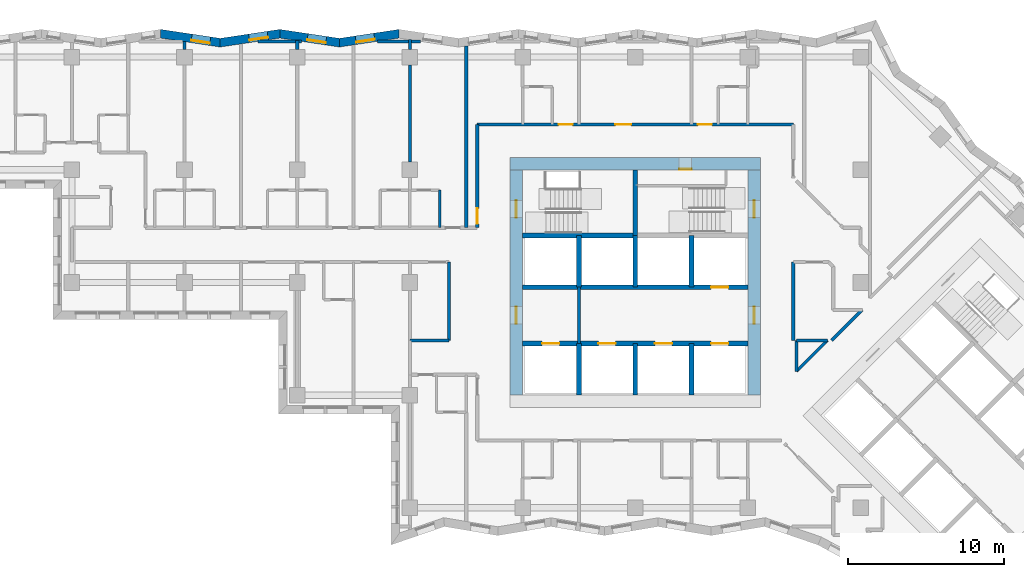
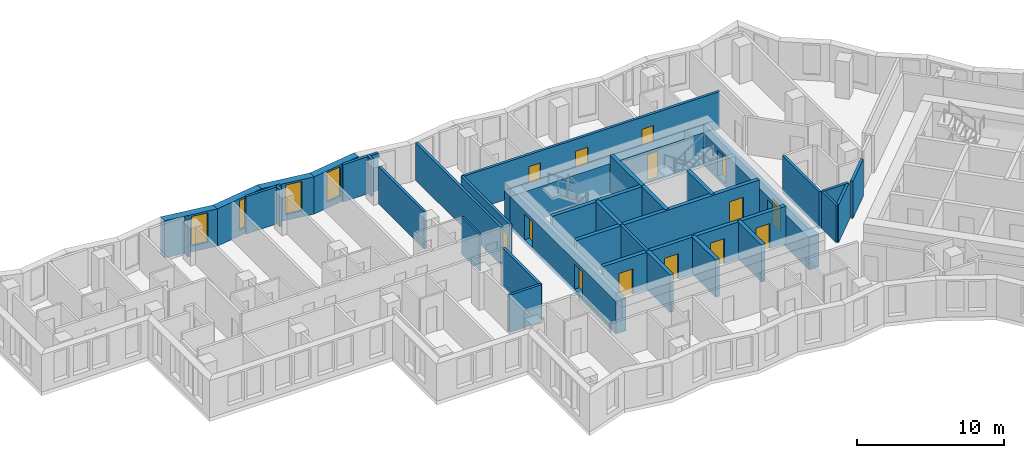
# One storey, part 6 of 13: 35 walls, 14 doors, 4 windows, 18 openings.
"""IFC4 building model written with IfcOpenShell, lengths in metres."""

from ifc_helpers import new_model, si_unit, direction, frame, frame_2d, origin, place, context, subcontext, project, spatial, polyline, rectangle, outline, extrude, material, layer, layer_set, type_object, element, fill, save


model = new_model("IFC4")

# Units and contexts
model_context = context("Model", 3, precision=1e-05, world=origin(), true_north=direction((0.0, 1.0)))
body_context = subcontext(model_context, "Body", "Model", "MODEL_VIEW")
ifc_project = project(units=[si_unit("LENGTHUNIT", "METRE"), si_unit("AREAUNIT", "SQUARE_METRE"), si_unit("VOLUMEUNIT", "CUBIC_METRE"), si_unit("PLANEANGLEUNIT", "RADIAN"), si_unit("MASSUNIT", "GRAM", prefix="KILO")], contexts=[model_context])

# Site, building, storey
site_placement = place(None, origin())
site = spatial("IfcSite", under=ifc_project, at=site_placement, CompositionType="ELEMENT")
building_placement = place(site_placement, origin())
building = spatial("IfcBuilding", under=site, at=building_placement, Name="Windrow Commons", CompositionType="ELEMENT")
storey_placement = place(building_placement, frame((0.0, 0.0, 111.8)))
storey = spatial("IfcBuildingStorey", under=building, at=storey_placement, Name="L30", CompositionType="ELEMENT", Elevation=111.8)

# Wall, opening, window
ifc_material_1 = material(Name="Brick masonry, red clay brick", Category="masonry")
ifc_layer_1 = layer(ifc_material_1, 0.55)
ifc_layer_set_1 = layer_set([ifc_layer_1], Name="Brick facade wall 550")
wall_type_1 = type_object("IfcWallType", Name="Brick facade wall 550", PredefinedType="SOLIDWALL", material=ifc_layer_set_1)
wall_1_placement = place(storey_placement, frame((49.7053, 73.4939, 0.0), z_axis=(0.0, 0.0, 1.0), x_axis=(-0.9889155896, -0.1484788086, 0.0)))
wall_1 = element("IfcWall", 1, at=wall_1_placement, inside=storey, type_object=wall_type_1, Name="Brick facade wall L30 29", PredefinedType="SOLIDWALL", context=body_context, shape_type="SweptSolid", body=[
    extrude(outline(polyline([(-0.0413, -0.275), (3.8111, -0.275), (3.8937, 0.275), (0.0413, 0.275), (-0.0413, -0.275)])), origin(), (0.0, 0.0, 1.0), 3.1),
])
opening_1_placement = place(wall_1_placement, frame((1.5896, 0.0, 0.5)))
opening_1 = element("IfcOpeningElement", 2, at=opening_1_placement, cuts=wall_1, Name="Opening W7D", PredefinedType="OPENING", context=body_context, shape_type="SweptSolid", body=[
    extrude(rectangle(XDim=1.2, YDim=2.45, at=frame_2d((0.6, 1.225))), frame((0.0, 0.285, 0.0), z_axis=(0.0, -1.0, 0.0), x_axis=(1.0, 0.0, 0.0)), (0.0, 0.0, 1.0), 0.57),
])
ifc_material_2 = material(Name="Clear float glass in anodised aluminium frame", Category="aluminium")
window_type = type_object("IfcWindowType", Name="Window W7 notch 1200x2450", PartitioningType="SINGLE_PANEL", PredefinedType="WINDOW", material=ifc_material_2)
window_1_placement = place(opening_1_placement, origin())
window_1 = element("IfcWindow", 3, at=window_1_placement, inside=storey, type_object=window_type, Name="Window L30 29.1", OverallHeight=2.45, OverallWidth=1.2, PartitioningType="SINGLE_PANEL", PredefinedType="WINDOW", context=body_context, shape_type="SweptSolid", body=[
    extrude(rectangle(XDim=1.2, YDim=2.45, at=frame_2d((0.6, 1.225))), frame((0.0, 0.155, 0.0), z_axis=(0.0, -1.0, 0.0), x_axis=(1.0, 0.0, 0.0)), (0.0, 0.0, 1.0), 0.06),
])
fill(opening_1, window_1)

wall_2_placement = place(storey_placement, frame((45.8956, 72.9219, 0.0), z_axis=(0.0, 0.0, 1.0), x_axis=(-0.9889150173, 0.1484826202, 0.0)))
wall_2 = element("IfcWall", 4, at=wall_2_placement, inside=storey, type_object=wall_type_1, Name="Brick facade wall L30 30", PredefinedType="SOLIDWALL", context=body_context, shape_type="SweptSolid", body=[
    extrude(outline(polyline([(0.0413, -0.275), (3.8937, -0.275), (3.8111, 0.275), (-0.0413, 0.275), (0.0413, -0.275)])), origin(), (0.0, 0.0, 1.0), 3.1),
])
opening_2_placement = place(wall_2_placement, frame((0.8629, 0.0, 0.5)))
opening_2 = element("IfcOpeningElement", 5, at=opening_2_placement, cuts=wall_2, Name="Opening W7D", PredefinedType="OPENING", context=body_context, shape_type="SweptSolid", body=[
    extrude(rectangle(XDim=1.2, YDim=2.45, at=frame_2d((0.6, 1.225))), frame((0.0, 0.285, 0.0), z_axis=(0.0, -1.0, 0.0), x_axis=(1.0, 0.0, 0.0)), (0.0, 0.0, 1.0), 0.57),
])
window_2_placement = place(opening_2_placement, origin())
window_2 = element("IfcWindow", 6, at=window_2_placement, inside=storey, type_object=window_type, Name="Window L30 30.1", OverallHeight=2.45, OverallWidth=1.2, PartitioningType="SINGLE_PANEL", PredefinedType="WINDOW", context=body_context, shape_type="SweptSolid", body=[
    extrude(rectangle(XDim=1.2, YDim=2.45, at=frame_2d((0.6, 1.225))), frame((0.0, 0.155, 0.0), z_axis=(0.0, -1.0, 0.0), x_axis=(1.0, 0.0, 0.0)), (0.0, 0.0, 1.0), 0.06),
])
fill(opening_2, window_2)

wall_3_placement = place(storey_placement, frame((42.086, 73.4939, 0.0), z_axis=(0.0, 0.0, 1.0), x_axis=(-0.9889155896, -0.1484788086, 0.0)))
wall_3 = element("IfcWall", 7, at=wall_3_placement, inside=storey, type_object=wall_type_1, Name="Brick facade wall L30 31", PredefinedType="SOLIDWALL", context=body_context, shape_type="SweptSolid", body=[
    extrude(outline(polyline([(-0.0413, -0.275), (3.8111, -0.275), (3.8937, 0.275), (0.0413, 0.275), (-0.0413, -0.275)])), origin(), (0.0, 0.0, 1.0), 3.1),
])
opening_3_placement = place(wall_3_placement, frame((0.7776, 0.0, 0.5)))
opening_3 = element("IfcOpeningElement", 8, at=opening_3_placement, cuts=wall_3, Name="Opening W7D", PredefinedType="OPENING", context=body_context, shape_type="SweptSolid", body=[
    extrude(rectangle(XDim=1.2, YDim=2.45, at=frame_2d((0.6, 1.225))), frame((0.0, 0.285, 0.0), z_axis=(0.0, -1.0, 0.0), x_axis=(1.0, 0.0, 0.0)), (0.0, 0.0, 1.0), 0.57),
])
window_3_placement = place(opening_3_placement, origin())
window_3 = element("IfcWindow", 9, at=window_3_placement, inside=storey, type_object=window_type, Name="Window L30 31.1", OverallHeight=2.45, OverallWidth=1.2, PartitioningType="SINGLE_PANEL", PredefinedType="WINDOW", context=body_context, shape_type="SweptSolid", body=[
    extrude(rectangle(XDim=1.2, YDim=2.45, at=frame_2d((0.6, 1.225))), frame((0.0, 0.145, 0.0), z_axis=(0.0, -1.0, 0.0), x_axis=(1.0, 0.0, 0.0)), (0.0, 0.0, 1.0), 0.06),
])
fill(opening_3, window_3)

wall_4_placement = place(storey_placement, frame((38.2763, 72.9219, 0.0), z_axis=(0.0, 0.0, 1.0), x_axis=(-0.9889155896, 0.1484788086, 0.0)))
wall_4 = element("IfcWall", 10, at=wall_4_placement, inside=storey, type_object=wall_type_1, Name="Brick facade wall L30 32", PredefinedType="SOLIDWALL", context=body_context, shape_type="SweptSolid", body=[
    extrude(outline(polyline([(0.0413, -0.275), (3.8937, -0.275), (3.8111, 0.275), (-0.0413, 0.275), (0.0413, -0.275)])), origin(), (0.0, 0.0, 1.0), 3.1),
])
opening_4_placement = place(wall_4_placement, frame((0.6509, 0.0, 0.5)))
opening_4 = element("IfcOpeningElement", 11, at=opening_4_placement, cuts=wall_4, Name="Opening W7D", PredefinedType="OPENING", context=body_context, shape_type="SweptSolid", body=[
    extrude(rectangle(XDim=1.2, YDim=2.45, at=frame_2d((0.6, 1.225))), frame((0.0, 0.285, 0.0), z_axis=(0.0, -1.0, 0.0), x_axis=(1.0, 0.0, 0.0)), (0.0, 0.0, 1.0), 0.57),
])
window_4_placement = place(opening_4_placement, origin())
window_4 = element("IfcWindow", 12, at=window_4_placement, inside=storey, type_object=window_type, Name="Window L30 32.1", OverallHeight=2.45, OverallWidth=1.2, PartitioningType="SINGLE_PANEL", PredefinedType="WINDOW", context=body_context, shape_type="SweptSolid", body=[
    extrude(rectangle(XDim=1.2, YDim=2.45, at=frame_2d((0.6, 1.225))), frame((0.0, 0.155, 0.0), z_axis=(0.0, -1.0, 0.0), x_axis=(1.0, 0.0, 0.0)), (0.0, 0.0, 1.0), 0.06),
])
fill(opening_4, window_4)

# Wall
ifc_material_3 = material(Name="Blockwork partition", Category="masonry")
ifc_layer_2 = layer(ifc_material_3, 0.2)
ifc_layer_set_2 = layer_set([ifc_layer_2], Name="Fire lobby partition 200")
wall_type_2 = type_object("IfcWallType", Name="Fire lobby partition 200", PredefinedType="PARTITIONING", material=ifc_layer_set_2)
wall_5_placement = place(storey_placement, frame((61.2, 53.7, 0.0), z_axis=(0.0, 0.0, 1.0), x_axis=(0.0, 1.0, 0.0)))
element("IfcWall", 13, at=wall_5_placement, inside=storey, type_object=wall_type_2, Name="W-core-lobby-A-L30", PredefinedType="PARTITIONING", context=body_context, shape_type="SweptSolid", body=[
    extrude(rectangle(XDim=3.6, YDim=0.2, at=frame_2d((1.8, 0.0))), origin(), (0.0, 0.0, 1.0), 3.1),
])

# Wall, openings, doors
ifc_material_4 = material(Name="Blockwork partition", Category="masonry")
ifc_layer_3 = layer(ifc_material_4, 0.2)
ifc_layer_set_3 = layer_set([ifc_layer_3], Name="IW-CORRIDOR-200")
wall_type_3 = type_object("IfcWallType", Name="IW-CORRIDOR-200", PredefinedType="PARTITIONING", material=ifc_layer_set_3)
wall_6_placement = place(storey_placement, frame((54.7, 67.7, 0.0), z_axis=(0.0, 0.0, 1.0), x_axis=(1.0, 0.0, 0.0)))
wall_6 = element("IfcWall", 14, at=wall_6_placement, inside=storey, type_object=wall_type_3, Name="W-L30-W002", PredefinedType="PARTITIONING", context=body_context, shape_type="SweptSolid", body=[
    extrude(rectangle(XDim=20.2, YDim=0.2, at=frame_2d((10.1, 0.0))), origin(), (0.0, 0.0, 1.0), 3.1),
])
opening_5_placement = place(wall_6_placement, frame((5.2, 0.0, 0.0)))
opening_5 = element("IfcOpeningElement", 15, at=opening_5_placement, cuts=wall_6, Name="Opening D109S", PredefinedType="OPENING", context=body_context, shape_type="SweptSolid", body=[
    extrude(rectangle(XDim=0.9, YDim=2.1, at=frame_2d((0.45, 1.05))), frame((0.0, 0.11, 0.0), z_axis=(0.0, -1.0, 0.0), x_axis=(1.0, 0.0, 0.0)), (0.0, 0.0, 1.0), 0.22),
])
opening_6_placement = place(wall_6_placement, frame((8.8375, 0.0, 0.0)))
opening_6 = element("IfcOpeningElement", 16, at=opening_6_placement, cuts=wall_6, Name="Opening D310F", PredefinedType="OPENING", context=body_context, shape_type="SweptSolid", body=[
    extrude(rectangle(XDim=1.0, YDim=2.1, at=frame_2d((0.5, 1.05))), frame((0.0, 0.11, 0.0), z_axis=(0.0, -1.0, 0.0), x_axis=(1.0, 0.0, 0.0)), (0.0, 0.0, 1.0), 0.22),
])
opening_7_placement = place(wall_6_placement, frame((14.1, 0.0, 0.0)))
opening_7 = element("IfcOpeningElement", 17, at=opening_7_placement, cuts=wall_6, Name="Opening D109S", PredefinedType="OPENING", context=body_context, shape_type="SweptSolid", body=[
    extrude(rectangle(XDim=0.9, YDim=2.1, at=frame_2d((0.45, 1.05))), frame((0.0, 0.11, 0.0), z_axis=(0.0, -1.0, 0.0), x_axis=(1.0, 0.0, 0.0)), (0.0, 0.0, 1.0), 0.22),
])
ifc_material_5 = material(Name="Timber door leaf", Category="wood")
door_type_1 = type_object("IfcDoorType", Name="DT-AMENITY-1000", OperationType="SINGLE_SWING_LEFT", PredefinedType="DOOR", material=ifc_material_5)
door_1_placement = place(opening_6_placement, origin())
door_1 = element("IfcDoor", 18, at=door_1_placement, inside=storey, type_object=door_type_1, Name="D-L30-D040", OperationType="SINGLE_SWING_LEFT", OverallHeight=2.1, OverallWidth=1.0, PredefinedType="DOOR", context=body_context, shape_type="SweptSolid", body=[
    extrude(rectangle(XDim=1.0, YDim=2.1, at=frame_2d((0.5, 1.05))), frame((0.0, 0.025, 0.0), z_axis=(0.0, -1.0, 0.0), x_axis=(1.0, 0.0, 0.0)), (0.0, 0.0, 1.0), 0.05),
])
fill(opening_6, door_1)
ifc_material_6 = material(Name="Timber door leaf", Category="wood")
door_type_2 = type_object("IfcDoorType", Name="DT-BEDROOM-900", OperationType="SINGLE_SWING_LEFT", PredefinedType="DOOR", material=ifc_material_6)
door_2_placement = place(opening_5_placement, origin())
door_2 = element("IfcDoor", 19, at=door_2_placement, inside=storey, type_object=door_type_2, Name="D-L30-D038", OperationType="SINGLE_SWING_RIGHT", OverallHeight=2.1, OverallWidth=0.9, PredefinedType="DOOR", context=body_context, shape_type="SweptSolid", body=[
    extrude(rectangle(XDim=0.9, YDim=2.1, at=frame_2d((0.45, 1.05))), frame((0.0, 0.025, 0.0), z_axis=(0.0, -1.0, 0.0), x_axis=(1.0, 0.0, 0.0)), (0.0, 0.0, 1.0), 0.05),
])
fill(opening_5, door_2)
door_3_placement = place(opening_7_placement, origin())
door_3 = element("IfcDoor", 20, at=door_3_placement, inside=storey, type_object=door_type_2, Name="D-L30-D041", OperationType="SINGLE_SWING_LEFT", OverallHeight=2.1, OverallWidth=0.9, PredefinedType="DOOR", context=body_context, shape_type="SweptSolid", body=[
    extrude(rectangle(XDim=0.9, YDim=2.1, at=frame_2d((0.45, 1.05))), frame((0.0, 0.025, 0.0), z_axis=(0.0, -1.0, 0.0), x_axis=(1.0, 0.0, 0.0)), (0.0, 0.0, 1.0), 0.05),
])
fill(opening_7, door_3)

# Wall, opening, door
wall_7_placement = place(storey_placement, frame((54.7, 61.102, 0.0), z_axis=(0.0, 0.0, 1.0), x_axis=(0.0, 1.0, 0.0)))
wall_7 = element("IfcWall", 21, at=wall_7_placement, inside=storey, type_object=wall_type_3, Name="W-L30-W025", PredefinedType="PARTITIONING", context=body_context, shape_type="SweptSolid", body=[
    extrude(rectangle(XDim=6.598, YDim=0.2, at=frame_2d((3.299, 0.0))), origin(), (0.0, 0.0, 1.0), 3.1),
])
opening_8_placement = place(wall_7_placement, frame((0.24, 0.0, 0.0)))
opening_8 = element("IfcOpeningElement", 22, at=opening_8_placement, cuts=wall_7, Name="Opening D310F", PredefinedType="OPENING", context=body_context, shape_type="SweptSolid", body=[
    extrude(rectangle(XDim=1.0, YDim=2.1, at=frame_2d((0.5, 1.05))), frame((0.0, 0.11, 0.0), z_axis=(0.0, -1.0, 0.0), x_axis=(1.0, 0.0, 0.0)), (0.0, 0.0, 1.0), 0.22),
])
door_4_placement = place(opening_8_placement, origin())
door_4 = element("IfcDoor", 23, at=door_4_placement, inside=storey, type_object=door_type_1, Name="D-L30-D037", OperationType="SINGLE_SWING_LEFT", OverallHeight=2.1, OverallWidth=1.0, PredefinedType="DOOR", context=body_context, shape_type="SweptSolid", body=[
    extrude(rectangle(XDim=1.0, YDim=2.1, at=frame_2d((0.5, 1.05))), frame((0.0, 0.025, 0.0), z_axis=(0.0, -1.0, 0.0), x_axis=(1.0, 0.0, 0.0)), (0.0, 0.0, 1.0), 0.05),
])
fill(opening_8, door_4)

# Walls
for number, where, z_axis, x_axis, name in (
    (24, (52.9, 53.9, 0.0), (0.0, 0.0, 1.0), (0.0, 1.0, 0.0), "W-L30-W040"),
    (25, (74.9, 53.9, 0.0), (0.0, 0.0, 1.0), (0.0, 1.0, 0.0), "W-L30-W041"),
):
    element("IfcWall", number, at=place(storey_placement, frame(where, z_axis=z_axis, x_axis=x_axis)), inside=storey, type_object=wall_type_3, Name=name, PredefinedType="PARTITIONING", context=body_context, shape_type="SweptSolid", body=[
        extrude(rectangle(XDim=5.0, YDim=0.2, at=frame_2d((2.5, 0.0))), origin(), (0.0, 0.0, 1.0), 3.1),
    ])
wall_8_placement = place(storey_placement, frame((75.1015, 51.9225, 0.0), z_axis=(0.0, 0.0, 1.0), x_axis=(0.7071067812, 0.7071067812, 0.0)))
element("IfcWall", 26, at=wall_8_placement, inside=storey, type_object=wall_type_3, Name="W-L30-W067", PredefinedType="PARTITIONING", context=body_context, shape_type="SweptSolid", body=[
    extrude(rectangle(XDim=2.7973, YDim=0.2, at=frame_2d((1.3986, 0.0))), origin(), (0.0, 0.0, 1.0), 3.1),
])
wall_9_placement = place(storey_placement, frame((77.3629, 53.9011, 0.0), z_axis=(0.0, 0.0, 1.0), x_axis=(0.7071067812, 0.7071067812, 0.0)))
element("IfcWall", 27, at=wall_9_placement, inside=storey, type_object=wall_type_3, Name="W-L30-W077", PredefinedType="PARTITIONING", context=body_context, shape_type="SweptSolid", body=[
    extrude(rectangle(XDim=2.7549, YDim=0.2, at=frame_2d((1.3775, 0.0))), origin(), (0.0, 0.0, 1.0), 3.1),
])
wall_10_placement = place(storey_placement, frame((50.4, 53.9, 0.0), z_axis=(0.0, 0.0, 1.0), x_axis=(1.0, 0.0, 0.0)))
element("IfcWall", 28, at=wall_10_placement, inside=storey, type_object=wall_type_3, Name="W-L30-W081", PredefinedType="PARTITIONING", context=body_context, shape_type="SweptSolid", body=[
    extrude(rectangle(XDim=2.5, YDim=0.2, at=frame_2d((1.25, 0.0))), origin(), (0.0, 0.0, 1.0), 3.1),
])
wall_11_placement = place(storey_placement, frame((75.1, 51.922, 0.0), z_axis=(0.0, 0.0, 1.0), x_axis=(0.0, 1.0, 0.0)))
element("IfcWall", 29, at=wall_11_placement, inside=storey, type_object=wall_type_3, Name="W-L30-W136", PredefinedType="PARTITIONING", context=body_context, shape_type="SweptSolid", body=[
    extrude(rectangle(XDim=1.978, YDim=0.2, at=frame_2d((0.989, 0.0))), origin(), (0.0, 0.0, 1.0), 3.1),
])
ifc_material_7 = material(Name="Blockwork partition", Category="masonry")
ifc_layer_4 = layer(ifc_material_7, 0.15)
ifc_layer_set_4 = layer_set([ifc_layer_4], Name="IW-ENSUITE-150")
wall_type_4 = type_object("IfcWallType", Name="IW-ENSUITE-150", PredefinedType="PARTITIONING", material=ifc_layer_set_4)
wall_12_placement = place(storey_placement, frame((52.3, 61.1, 0.0), z_axis=(0.0, 0.0, 1.0), x_axis=(0.0, 1.0, 0.0)))
element("IfcWall", 30, at=wall_12_placement, inside=storey, type_object=wall_type_4, Name="W-L30-W098", PredefinedType="PARTITIONING", context=body_context, shape_type="SweptSolid", body=[
    extrude(rectangle(XDim=2.4, YDim=0.15, at=frame_2d((1.2, 0.0))), origin(), (0.0, 0.0, 1.0), 3.1),
])
ifc_material_8 = material(Name="Blockwork partition", Category="masonry")
ifc_layer_5 = layer(ifc_material_8, 0.2)
ifc_layer_set_5 = layer_set([ifc_layer_5], Name="IW-PARTY-200")
wall_type_5 = type_object("IfcWallType", Name="IW-PARTY-200", PredefinedType="PARTITIONING", material=ifc_layer_set_5)
wall_13_placement = place(storey_placement, frame((54.0, 61.1, 0.0), z_axis=(0.0, 0.0, 1.0), x_axis=(0.0, 1.0, 0.0)))
element("IfcWall", 31, at=wall_13_placement, inside=storey, type_object=wall_type_5, Name="W-L30-W008", PredefinedType="PARTITIONING", context=body_context, shape_type="SweptSolid", body=[
    extrude(rectangle(XDim=11.6167, YDim=0.2, at=frame_2d((5.8083, 0.0))), origin(), (0.0, 0.0, 1.0), 3.1),
])
wall_14_placement = place(storey_placement, frame((50.4, 65.3, 0.0), z_axis=(0.0, 0.0, 1.0), x_axis=(0.0, 1.0, 0.0)))
element("IfcWall", 32, at=wall_14_placement, inside=storey, type_object=wall_type_5, Name="W-L30-W030", PredefinedType="PARTITIONING", context=body_context, shape_type="SweptSolid", body=[
    extrude(rectangle(XDim=6.2, YDim=0.2, at=frame_2d((3.1, 0.0))), origin(), (0.0, 0.0, 1.0), 3.1),
])
wall_15_placement = place(storey_placement, frame((40.6984, 73.0, 0.0), z_axis=(0.0, 0.0, 1.0), x_axis=(1.0, 0.0, 0.0)))
element("IfcWall", 33, at=wall_15_placement, inside=storey, type_object=wall_type_5, Name="W-L30-W069", PredefinedType="PARTITIONING", context=body_context, shape_type="SweptSolid", body=[
    extrude(rectangle(XDim=2.7751, YDim=0.2, at=frame_2d((1.3876, 0.0))), origin(), (0.0, 0.0, 1.0), 3.1),
])
wall_16_placement = place(storey_placement, frame((48.3178, 73.0, 0.0), z_axis=(0.0, 0.0, 1.0), x_axis=(1.0, 0.0, 0.0)))
element("IfcWall", 34, at=wall_16_placement, inside=storey, type_object=wall_type_5, Name="W-L30-W072", PredefinedType="PARTITIONING", context=body_context, shape_type="SweptSolid", body=[
    extrude(rectangle(XDim=2.775, YDim=0.2, at=frame_2d((1.3875, 0.0))), origin(), (0.0, 0.0, 1.0), 3.1),
])
wall_17_placement = place(storey_placement, frame((75.1, 53.9, 0.0), z_axis=(0.0, 0.0, 1.0), x_axis=(1.0, 0.0, 0.0)))
element("IfcWall", 35, at=wall_17_placement, inside=storey, type_object=wall_type_5, Name="W-L30-W135", PredefinedType="PARTITIONING", context=body_context, shape_type="SweptSolid", body=[
    extrude(rectangle(XDim=1.98, YDim=0.2, at=frame_2d((0.99, 0.0))), origin(), (0.0, 0.0, 1.0), 3.1),
])
wall_18_placement = place(storey_placement, frame((50.4, 72.5, 0.0), z_axis=(0.0, 0.0, 1.0), x_axis=(0.0, 1.0, 0.0)))
element("IfcWall", 36, at=wall_18_placement, inside=storey, type_object=wall_type_5, Name="W-L30-W197", PredefinedType="PARTITIONING", context=body_context, shape_type="SweptSolid", body=[
    extrude(rectangle(XDim=0.6115, YDim=0.2, at=frame_2d((0.3058, 0.0))), origin(), (0.0, 0.0, 1.0), 3.1),
])
wall_19_placement = place(storey_placement, frame((43.2, 72.5, 0.0), z_axis=(0.0, 0.0, 1.0), x_axis=(0.0, 1.0, 0.0)))
element("IfcWall", 37, at=wall_19_placement, inside=storey, type_object=wall_type_5, Name="W-L30-W201", PredefinedType="PARTITIONING", context=body_context, shape_type="SweptSolid", body=[
    extrude(rectangle(XDim=0.5486, YDim=0.2, at=frame_2d((0.2743, 0.0))), origin(), (0.0, 0.0, 1.0), 3.1),
])
wall_20_placement = place(storey_placement, frame((36.0, 72.5, 0.0), z_axis=(0.0, 0.0, 1.0), x_axis=(0.0, 1.0, 0.0)))
element("IfcWall", 38, at=wall_20_placement, inside=storey, type_object=wall_type_5, Name="W-L30-W210", PredefinedType="PARTITIONING", context=body_context, shape_type="SweptSolid", body=[
    extrude(rectangle(XDim=0.4856, YDim=0.2, at=frame_2d((0.2428, 0.0))), origin(), (0.0, 0.0, 1.0), 3.1),
])

# Wall, opening, door
ifc_material_9 = material(Name="Concrete C50/60", Category="concrete")
ifc_layer_6 = layer(ifc_material_9, 0.8)
ifc_layer_set_6 = layer_set([ifc_layer_6], Name="RC CORE WALL 800 C50/60")
wall_type_6 = type_object("IfcWallType", Name="RC CORE WALL 800 C50/60", PredefinedType="SHEAR", material=ifc_layer_set_6)
wall_21_placement = place(storey_placement, frame((56.8, 65.2, -0.3), z_axis=(0.0, 0.0, 1.0), x_axis=(1.0, 0.0, 0.0)))
wall_21 = element("IfcWall", 39, at=wall_21_placement, inside=storey, type_object=wall_type_6, Name="Core A wall outer-N", PredefinedType="SHEAR", context=body_context, shape_type="SweptSolid", body=[
    extrude(rectangle(XDim=16.0, YDim=0.8, at=frame_2d((8.0, 0.0))), origin(), (0.0, 0.0, 1.0), 2.7),
])
opening_9_placement = place(wall_21_placement, frame((10.8, 0.0, 0.3)))
opening_9 = element("IfcOpeningElement", 40, at=opening_9_placement, cuts=wall_21, Name="Opening D9", PredefinedType="OPENING", context=body_context, shape_type="SweptSolid", body=[
    extrude(rectangle(XDim=0.8, YDim=2.1, at=frame_2d((0.4, 1.05))), frame((0.0, 0.41, 0.0), z_axis=(0.0, -1.0, 0.0), x_axis=(1.0, 0.0, 0.0)), (0.0, 0.0, 1.0), 0.82),
])
ifc_material_10 = material(Name="Steel fire door leaf", Category="steel")
door_type_3 = type_object("IfcDoorType", Name="Riser access door 800", OperationType="SINGLE_SWING_LEFT", PredefinedType="DOOR", material=ifc_material_10)
door_5_placement = place(opening_9_placement, origin())
door_5 = element("IfcDoor", 41, at=door_5_placement, inside=storey, type_object=door_type_3, Name="Riser access door", OperationType="SINGLE_SWING_RIGHT", OverallHeight=2.1, OverallWidth=0.8, PredefinedType="DOOR", context=body_context, shape_type="SweptSolid", body=[
    extrude(rectangle(XDim=0.8, YDim=2.1, at=frame_2d((0.4, 1.05))), frame((0.0, -0.34, 0.0), z_axis=(0.0, -1.0, 0.0), x_axis=(1.0, 0.0, 0.0)), (0.0, 0.0, 1.0), 0.05),
])
fill(opening_9, door_5)

# Wall, openings, doors
wall_22_placement = place(storey_placement, frame((57.2, 50.4, -0.3), z_axis=(0.0, 0.0, 1.0), x_axis=(0.0, 1.0, 0.0)))
wall_22 = element("IfcWall", 42, at=wall_22_placement, inside=storey, type_object=wall_type_6, Name="Core A wall outer-W", PredefinedType="SHEAR", context=body_context, shape_type="SweptSolid", body=[
    extrude(rectangle(XDim=14.4, YDim=0.8, at=frame_2d((7.2, 0.0))), origin(), (0.0, 0.0, 1.0), 2.7),
])
opening_10_placement = place(wall_22_placement, frame((4.55, 0.0, 0.3)))
opening_10 = element("IfcOpeningElement", 43, at=opening_10_placement, cuts=wall_22, Name="Opening D6", PredefinedType="OPENING", context=body_context, shape_type="SweptSolid", body=[
    extrude(rectangle(XDim=1.1, YDim=2.1, at=frame_2d((0.55, 1.05))), frame((0.0, 0.41, 0.0), z_axis=(0.0, -1.0, 0.0), x_axis=(1.0, 0.0, 0.0)), (0.0, 0.0, 1.0), 0.82),
])
opening_11_placement = place(wall_22_placement, frame((11.35, 0.0, 0.3)))
opening_11 = element("IfcOpeningElement", 44, at=opening_11_placement, cuts=wall_22, Name="Opening D7", PredefinedType="OPENING", context=body_context, shape_type="SweptSolid", body=[
    extrude(rectangle(XDim=1.1, YDim=2.1, at=frame_2d((0.55, 1.05))), frame((0.0, 0.41, 0.0), z_axis=(0.0, -1.0, 0.0), x_axis=(1.0, 0.0, 0.0)), (0.0, 0.0, 1.0), 0.82),
])
ifc_material_11 = material(Name="Steel fire door leaf", Category="steel")
door_type_4 = type_object("IfcDoorType", Name="Core lobby door 1100", OperationType="SINGLE_SWING_LEFT", PredefinedType="DOOR", material=ifc_material_11)
door_6_placement = place(opening_10_placement, origin())
door_6 = element("IfcDoor", 45, at=door_6_placement, inside=storey, type_object=door_type_4, Name="Lift lobby door", OperationType="DOUBLE_DOOR_SINGLE_SWING", OverallHeight=2.1, OverallWidth=1.1, PredefinedType="DOOR", context=body_context, shape_type="SweptSolid", body=[
    extrude(rectangle(XDim=1.1, YDim=2.1, at=frame_2d((0.55, 1.05))), frame((0.0, 0.025, 0.0), z_axis=(0.0, -1.0, 0.0), x_axis=(1.0, 0.0, 0.0)), (0.0, 0.0, 1.0), 0.05),
])
fill(opening_10, door_6)
ifc_material_12 = material(Name="Steel fire door leaf", Category="steel")
door_type_5 = type_object("IfcDoorType", Name="Stair door 1100", OperationType="SINGLE_SWING_LEFT", PredefinedType="DOOR", material=ifc_material_12)
door_7_placement = place(opening_11_placement, origin())
door_7 = element("IfcDoor", 46, at=door_7_placement, inside=storey, type_object=door_type_5, Name="Stair door", OperationType="SINGLE_SWING_LEFT", OverallHeight=2.1, OverallWidth=1.1, PredefinedType="DOOR", context=body_context, shape_type="SweptSolid", body=[
    extrude(rectangle(XDim=1.1, YDim=2.1, at=frame_2d((0.55, 1.05))), frame((0.0, 0.025, 0.0), z_axis=(0.0, -1.0, 0.0), x_axis=(1.0, 0.0, 0.0)), (0.0, 0.0, 1.0), 0.05),
])
fill(opening_11, door_7)

wall_23_placement = place(storey_placement, frame((72.4, 50.4, -0.3), z_axis=(0.0, 0.0, 1.0), x_axis=(0.0, 1.0, 0.0)))
wall_23 = element("IfcWall", 47, at=wall_23_placement, inside=storey, type_object=wall_type_6, Name="Core A wall outer-E", PredefinedType="SHEAR", context=body_context, shape_type="SweptSolid", body=[
    extrude(rectangle(XDim=14.4, YDim=0.8, at=frame_2d((7.2, 0.0))), origin(), (0.0, 0.0, 1.0), 2.7),
])
opening_12_placement = place(wall_23_placement, frame((4.55, 0.0, 0.3)))
opening_12 = element("IfcOpeningElement", 48, at=opening_12_placement, cuts=wall_23, Name="Opening D6", PredefinedType="OPENING", context=body_context, shape_type="SweptSolid", body=[
    extrude(rectangle(XDim=1.1, YDim=2.1, at=frame_2d((0.55, 1.05))), frame((0.0, 0.41, 0.0), z_axis=(0.0, -1.0, 0.0), x_axis=(1.0, 0.0, 0.0)), (0.0, 0.0, 1.0), 0.82),
])
opening_13_placement = place(wall_23_placement, frame((11.35, 0.0, 0.3)))
opening_13 = element("IfcOpeningElement", 49, at=opening_13_placement, cuts=wall_23, Name="Opening D7", PredefinedType="OPENING", context=body_context, shape_type="SweptSolid", body=[
    extrude(rectangle(XDim=1.1, YDim=2.1, at=frame_2d((0.55, 1.05))), frame((0.0, 0.41, 0.0), z_axis=(0.0, -1.0, 0.0), x_axis=(1.0, 0.0, 0.0)), (0.0, 0.0, 1.0), 0.82),
])
door_8_placement = place(opening_12_placement, origin())
door_8 = element("IfcDoor", 50, at=door_8_placement, inside=storey, type_object=door_type_4, Name="Lift lobby door", OperationType="DOUBLE_DOOR_SINGLE_SWING", OverallHeight=2.1, OverallWidth=1.1, PredefinedType="DOOR", context=body_context, shape_type="SweptSolid", body=[
    extrude(rectangle(XDim=1.1, YDim=2.1, at=frame_2d((0.55, 1.05))), frame((0.0, 0.025, 0.0), z_axis=(0.0, -1.0, 0.0), x_axis=(1.0, 0.0, 0.0)), (0.0, 0.0, 1.0), 0.05),
])
fill(opening_12, door_8)
door_9_placement = place(opening_13_placement, origin())
door_9 = element("IfcDoor", 51, at=door_9_placement, inside=storey, type_object=door_type_5, Name="Stair door", OperationType="SINGLE_SWING_RIGHT", OverallHeight=2.1, OverallWidth=1.1, PredefinedType="DOOR", context=body_context, shape_type="SweptSolid", body=[
    extrude(rectangle(XDim=1.1, YDim=2.1, at=frame_2d((0.55, 1.05))), frame((0.0, 0.025, 0.0), z_axis=(0.0, -1.0, 0.0), x_axis=(1.0, 0.0, 0.0)), (0.0, 0.0, 1.0), 0.05),
])
fill(opening_13, door_9)

# Walls
ifc_material_13 = material(Name="Concrete C50/60", Category="concrete")
ifc_layer_7 = layer(ifc_material_13, 0.3)
ifc_layer_set_7 = layer_set([ifc_layer_7], Name="RC SHAFT WALL 300 C50/60")
wall_type_7 = type_object("IfcWallType", Name="RC SHAFT WALL 300 C50/60", PredefinedType="SOLIDWALL", material=ifc_layer_set_7)
for number, where, z_axis, x_axis, name in (
    (52, (61.2, 50.4, 0.0), (0.0, 0.0, 1.0), (0.0, 1.0, 0.0), "Core A wall shaft-S1"),
    (53, (61.2, 57.3, 0.0), (0.0, 0.0, 1.0), (0.0, 1.0, 0.0), "Core A wall shaft-N1"),
    (54, (64.8, 50.4, 0.0), (0.0, 0.0, 1.0), (0.0, 1.0, 0.0), "Core A wall shaft-S2"),
    (55, (64.8, 57.3, 0.0), (0.0, 0.0, 1.0), (0.0, 1.0, 0.0), "Core A wall shaft-N2"),
    (56, (68.4, 50.4, 0.0), (0.0, 0.0, 1.0), (0.0, 1.0, 0.0), "Core A wall shaft-S3"),
    (57, (68.4, 57.3, 0.0), (0.0, 0.0, 1.0), (0.0, 1.0, 0.0), "Core A wall shaft-N3"),
):
    element("IfcWall", number, at=place(storey_placement, frame(where, z_axis=z_axis, x_axis=x_axis)), inside=storey, type_object=wall_type_7, Name=name, PredefinedType="SOLIDWALL", context=body_context, shape_type="SweptSolid", body=[
        extrude(rectangle(XDim=3.3, YDim=0.3, at=frame_2d((1.65, 0.0))), origin(), (0.0, 0.0, 1.0), 3.1),
    ])

# Wall, openings, doors
wall_24_placement = place(storey_placement, frame((57.6, 53.7, 0.0), z_axis=(0.0, 0.0, 1.0), x_axis=(1.0, 0.0, 0.0)))
wall_24 = element("IfcWall", 58, at=wall_24_placement, inside=storey, type_object=wall_type_7, Name="Core A wall lobby-S", PredefinedType="SOLIDWALL", context=body_context, shape_type="SweptSolid", body=[
    extrude(rectangle(XDim=14.4, YDim=0.3, at=frame_2d((7.2, 0.0))), origin(), (0.0, 0.0, 1.0), 3.1),
])
opening_14_placement = place(wall_24_placement, frame((1.25, 0.0, 0.0)))
opening_14 = element("IfcOpeningElement", 59, at=opening_14_placement, cuts=wall_24, Name="Opening LD", PredefinedType="OPENING", context=body_context, shape_type="SweptSolid", body=[
    extrude(rectangle(XDim=1.1, YDim=2.1, at=frame_2d((0.55, 1.05))), frame((0.0, 0.16, 0.0), z_axis=(0.0, -1.0, 0.0), x_axis=(1.0, 0.0, 0.0)), (0.0, 0.0, 1.0), 0.32),
])
opening_15_placement = place(wall_24_placement, frame((4.85, 0.0, 0.0)))
opening_15 = element("IfcOpeningElement", 60, at=opening_15_placement, cuts=wall_24, Name="Opening LD", PredefinedType="OPENING", context=body_context, shape_type="SweptSolid", body=[
    extrude(rectangle(XDim=1.1, YDim=2.1, at=frame_2d((0.55, 1.05))), frame((0.0, 0.16, 0.0), z_axis=(0.0, -1.0, 0.0), x_axis=(1.0, 0.0, 0.0)), (0.0, 0.0, 1.0), 0.32),
])
opening_16_placement = place(wall_24_placement, frame((8.45, 0.0, 0.0)))
opening_16 = element("IfcOpeningElement", 61, at=opening_16_placement, cuts=wall_24, Name="Opening LD", PredefinedType="OPENING", context=body_context, shape_type="SweptSolid", body=[
    extrude(rectangle(XDim=1.1, YDim=2.1, at=frame_2d((0.55, 1.05))), frame((0.0, 0.16, 0.0), z_axis=(0.0, -1.0, 0.0), x_axis=(1.0, 0.0, 0.0)), (0.0, 0.0, 1.0), 0.32),
])
opening_17_placement = place(wall_24_placement, frame((12.05, 0.0, 0.0)))
opening_17 = element("IfcOpeningElement", 62, at=opening_17_placement, cuts=wall_24, Name="Opening LD", PredefinedType="OPENING", context=body_context, shape_type="SweptSolid", body=[
    extrude(rectangle(XDim=1.1, YDim=2.1, at=frame_2d((0.55, 1.05))), frame((0.0, 0.16, 0.0), z_axis=(0.0, -1.0, 0.0), x_axis=(1.0, 0.0, 0.0)), (0.0, 0.0, 1.0), 0.32),
])
ifc_material_14 = material(Name="Stainless steel door leaf", Category="steel")
door_type_6 = type_object("IfcDoorType", Name="Lift landing door 1100", OperationType="SLIDING_TO_LEFT", PredefinedType="DOOR", material=ifc_material_14)
door_10_placement = place(opening_14_placement, origin())
door_10 = element("IfcDoor", 63, at=door_10_placement, inside=storey, type_object=door_type_6, Name="Lift landing door", OperationType="SLIDING_TO_LEFT", OverallHeight=2.1, OverallWidth=1.1, PredefinedType="DOOR", context=body_context, shape_type="SweptSolid", body=[
    extrude(rectangle(XDim=1.1, YDim=2.1, at=frame_2d((0.55, 1.05))), frame((0.0, 0.025, 0.0), z_axis=(0.0, -1.0, 0.0), x_axis=(1.0, 0.0, 0.0)), (0.0, 0.0, 1.0), 0.05),
])
fill(opening_14, door_10)
door_11_placement = place(opening_15_placement, origin())
door_11 = element("IfcDoor", 64, at=door_11_placement, inside=storey, type_object=door_type_6, Name="Lift landing door", OperationType="SLIDING_TO_RIGHT", OverallHeight=2.1, OverallWidth=1.1, PredefinedType="DOOR", context=body_context, shape_type="SweptSolid", body=[
    extrude(rectangle(XDim=1.1, YDim=2.1, at=frame_2d((0.55, 1.05))), frame((0.0, 0.025, 0.0), z_axis=(0.0, -1.0, 0.0), x_axis=(1.0, 0.0, 0.0)), (0.0, 0.0, 1.0), 0.05),
])
fill(opening_15, door_11)
door_12_placement = place(opening_16_placement, origin())
door_12 = element("IfcDoor", 65, at=door_12_placement, inside=storey, type_object=door_type_6, Name="Lift landing door", OperationType="SLIDING_TO_LEFT", OverallHeight=2.1, OverallWidth=1.1, PredefinedType="DOOR", context=body_context, shape_type="SweptSolid", body=[
    extrude(rectangle(XDim=1.1, YDim=2.1, at=frame_2d((0.55, 1.05))), frame((0.0, 0.025, 0.0), z_axis=(0.0, -1.0, 0.0), x_axis=(1.0, 0.0, 0.0)), (0.0, 0.0, 1.0), 0.05),
])
fill(opening_16, door_12)
door_13_placement = place(opening_17_placement, origin())
door_13 = element("IfcDoor", 66, at=door_13_placement, inside=storey, type_object=door_type_6, Name="Lift landing door", OperationType="SLIDING_TO_RIGHT", OverallHeight=2.1, OverallWidth=1.1, PredefinedType="DOOR", context=body_context, shape_type="SweptSolid", body=[
    extrude(rectangle(XDim=1.1, YDim=2.1, at=frame_2d((0.55, 1.05))), frame((0.0, 0.025, 0.0), z_axis=(0.0, -1.0, 0.0), x_axis=(1.0, 0.0, 0.0)), (0.0, 0.0, 1.0), 0.05),
])
fill(opening_17, door_13)

# Wall, opening, door
wall_25_placement = place(storey_placement, frame((57.6, 57.3, 0.0), z_axis=(0.0, 0.0, 1.0), x_axis=(1.0, 0.0, 0.0)))
wall_25 = element("IfcWall", 67, at=wall_25_placement, inside=storey, type_object=wall_type_7, Name="Core A wall lobby-N", PredefinedType="SOLIDWALL", context=body_context, shape_type="SweptSolid", body=[
    extrude(rectangle(XDim=14.4, YDim=0.3, at=frame_2d((7.2, 0.0))), origin(), (0.0, 0.0, 1.0), 3.1),
])
opening_18_placement = place(wall_25_placement, frame((12.05, 0.0, 0.0)))
opening_18 = element("IfcOpeningElement", 68, at=opening_18_placement, cuts=wall_25, Name="Opening LD", PredefinedType="OPENING", context=body_context, shape_type="SweptSolid", body=[
    extrude(rectangle(XDim=1.1, YDim=2.1, at=frame_2d((0.55, 1.05))), frame((0.0, 0.16, 0.0), z_axis=(0.0, -1.0, 0.0), x_axis=(1.0, 0.0, 0.0)), (0.0, 0.0, 1.0), 0.32),
])
door_14_placement = place(opening_18_placement, origin())
door_14 = element("IfcDoor", 69, at=door_14_placement, inside=storey, type_object=door_type_6, Name="Lift landing door", OperationType="SLIDING_TO_RIGHT", OverallHeight=2.1, OverallWidth=1.1, PredefinedType="DOOR", context=body_context, shape_type="SweptSolid", body=[
    extrude(rectangle(XDim=1.1, YDim=2.1, at=frame_2d((0.55, 1.05))), frame((0.0, 0.025, 0.0), z_axis=(0.0, -1.0, 0.0), x_axis=(1.0, 0.0, 0.0)), (0.0, 0.0, 1.0), 0.05),
])
fill(opening_18, door_14)

# Walls
wall_26_placement = place(storey_placement, frame((57.6, 60.6, 0.0), z_axis=(0.0, 0.0, 1.0), x_axis=(1.0, 0.0, 0.0)))
element("IfcWall", 70, at=wall_26_placement, inside=storey, type_object=wall_type_7, Name="Core A wall stair-S", PredefinedType="SOLIDWALL", context=body_context, shape_type="SweptSolid", body=[
    extrude(rectangle(XDim=7.2, YDim=0.3, at=frame_2d((3.6, 0.0))), origin(), (0.0, 0.0, 1.0), 3.1),
])
wall_27_placement = place(storey_placement, frame((64.8, 60.6, 0.0), z_axis=(0.0, 0.0, 1.0), x_axis=(0.0, 1.0, 0.0)))
element("IfcWall", 71, at=wall_27_placement, inside=storey, type_object=wall_type_7, Name="Core A wall stair-mid", PredefinedType="SOLIDWALL", context=body_context, shape_type="SweptSolid", body=[
    extrude(rectangle(XDim=4.2, YDim=0.3, at=frame_2d((2.1, 0.0))), origin(), (0.0, 0.0, 1.0), 3.1),
])

save(model, "model.ifc")
